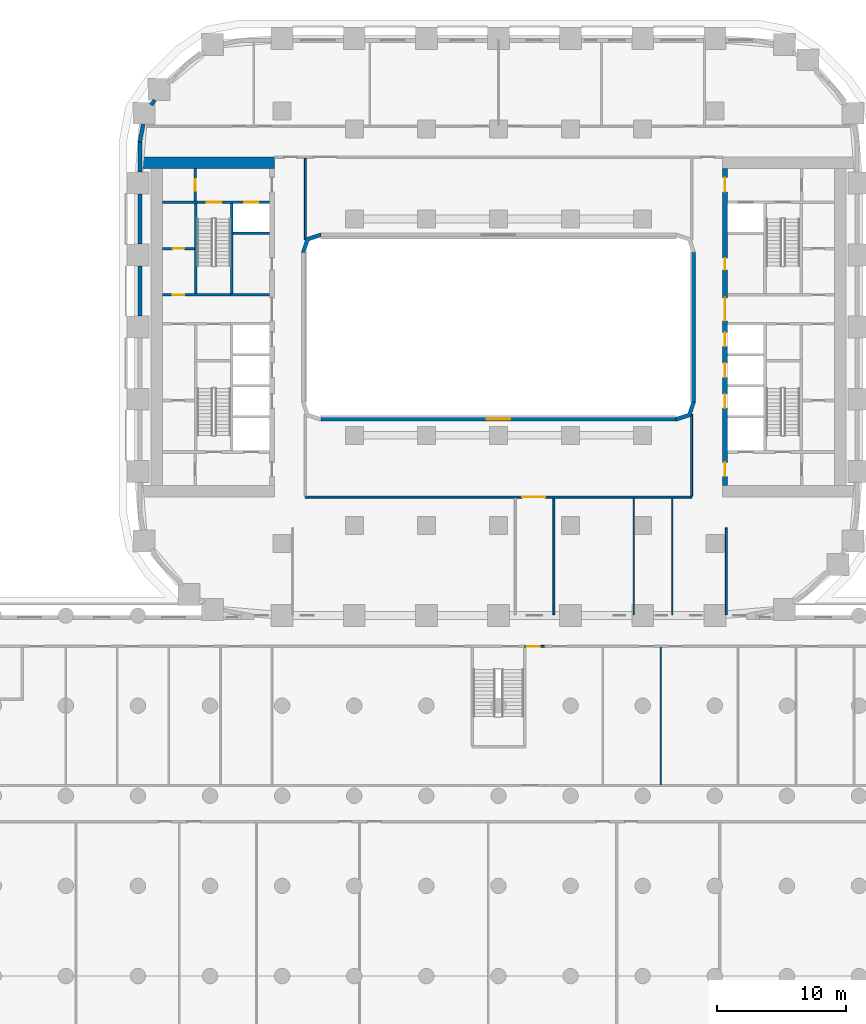
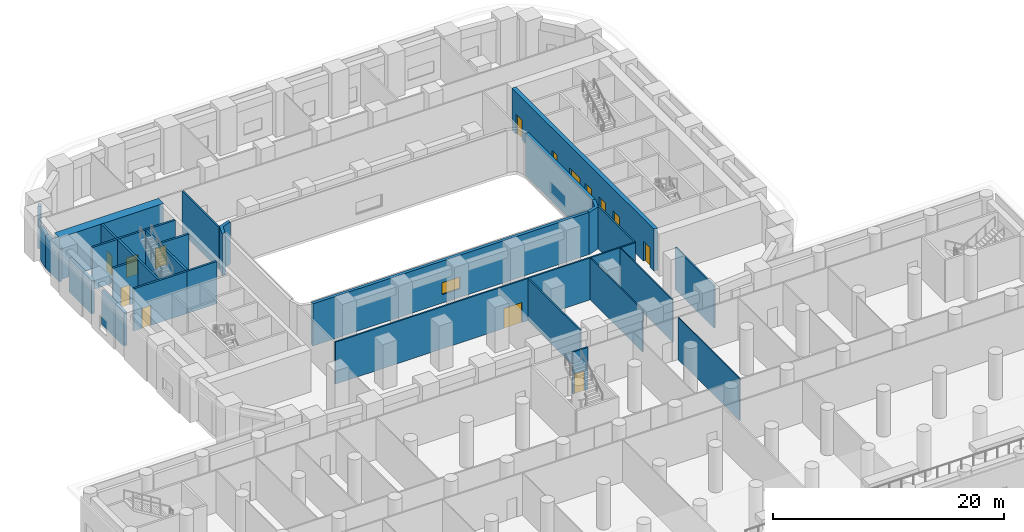
# One storey, part 12 of 27: 28 walls, 14 doors, 1 window, 15 openings.
"""IFC4 building model written with IfcOpenShell, lengths in metres."""

import ifcopenshell
import ifcopenshell.guid

model = None  # the IFC model being written
_history = None  # IfcOwnerHistory: only IFC2X3 demands one
_inside = {}  # id of a spatial element -> (the spatial element, [elements in it])
_under = {}  # id of a project, library or spatial element -> (it, [spatial elements below it])
_declared = {}  # id of a project -> (the project, [libraries it declares])
_typed = {}  # id of a type object -> (the type object, [elements of that type])
_made_of = {}  # id of a material, layer set ... -> (it, [elements and type objects made of it])


def new_model(schema):
    """Start an empty IFC model of exactly this schema.

    Asked for "IFC4X3", IfcOpenShell would pick the latest addendum, in which some entities
    have other attributes; the version numbers below select the first issue.
    IFC2X3 requires an IfcOwnerHistory on every rooted entity: one is made here for all.
    """
    global model, _history
    if schema == "IFC4X3":
        model = ifcopenshell.file(schema_version=(4, 3, 0, 0))
    else:
        model = ifcopenshell.file(schema=schema)
    _inside.clear()
    _under.clear()
    _declared.clear()
    _typed.clear()
    _made_of.clear()
    _history = None
    if model.schema == "IFC2X3":
        org = make("IfcOrganization", Name="unknown")
        user = make(
            "IfcPersonAndOrganization",
            ThePerson=make("IfcPerson", FamilyName="unknown"),
            TheOrganization=org,
        )
        app = make(
            "IfcApplication",
            ApplicationDeveloper=org,
            Version="unknown",
            ApplicationFullName="unknown",
            ApplicationIdentifier="unknown",
        )
        _history = make(
            "IfcOwnerHistory",
            OwningUser=user,
            OwningApplication=app,
            ChangeAction="ADDED",
            CreationDate=0,
        )
    return model


def make(cls, **values):
    """One entity of the class cls with the attributes given. An attribute that is None is left unset."""
    return model.create_entity(
        cls, **{name: value for name, value in values.items() if value is not None}
    )


def rooted(cls, **values):
    """An entity with a GlobalId (a new one), such as an element, a storey or a relation."""
    return make(cls, GlobalId=ifcopenshell.guid.new(), OwnerHistory=_history, **values)


def si_unit(unit_type, name, prefix=None):
    """IfcSIUnit, for example si_unit("LENGTHUNIT", "METRE", prefix="MILLI")."""
    return make("IfcSIUnit", UnitType=unit_type, Prefix=prefix, Name=name)


def assignment(units):
    """IfcUnitAssignment: the units of a project."""
    return None if units is None else make("IfcUnitAssignment", Units=units)


def point(xyz):
    """IfcCartesianPoint."""
    return None if xyz is None else make("IfcCartesianPoint", Coordinates=xyz)


def direction(xyz):
    """IfcDirection."""
    return None if xyz is None else make("IfcDirection", DirectionRatios=xyz)


def frame(location, z_axis=None, x_axis=None):
    """IfcAxis2Placement3D, a coordinate frame: its origin and axes. An axis left out is left unset."""
    return make(
        "IfcAxis2Placement3D",
        Location=point(location),
        Axis=direction(z_axis),
        RefDirection=direction(x_axis),
    )


def frame_2d(location, x_axis=None):
    """IfcAxis2Placement2D, a coordinate frame in the plane: its origin and x axis."""
    return make(
        "IfcAxis2Placement2D", Location=point(location), RefDirection=direction(x_axis)
    )


def origin():
    """The frame at (0, 0, 0) with its axes left unset."""
    return frame((0.0, 0.0, 0.0))


def place(relative_to, where):
    """IfcLocalPlacement: puts the frame where relative to a parent placement (None: the world)."""
    return make(
        "IfcLocalPlacement", PlacementRelTo=relative_to, RelativePlacement=where
    )


def context(
    kind, dimensions, precision=None, world=None, true_north=None, identifier=None
):
    """IfcGeometricRepresentationContext, for example the 3D "Model" context."""
    return make(
        "IfcGeometricRepresentationContext",
        ContextIdentifier=identifier,
        ContextType=kind,
        CoordinateSpaceDimension=dimensions,
        Precision=precision,
        WorldCoordinateSystem=world,
        TrueNorth=true_north,
    )


def subcontext(parent, identifier, kind, view, scale=None):
    """IfcGeometricRepresentationSubContext, for example "Body" below "Model"."""
    return make(
        "IfcGeometricRepresentationSubContext",
        ContextIdentifier=identifier,
        ContextType=kind,
        ParentContext=parent,
        TargetScale=scale,
        TargetView=view,
    )


def project(units=None, contexts=None):
    """IfcProject with its units and contexts."""
    return rooted(
        "IfcProject",
        Name="project",
        RepresentationContexts=contexts,
        UnitsInContext=assignment(units),
    )


def spatial(cls, under=None, at=None, **own):
    """A site, building, storey or space (cls), placed at a placement, below another one or the project."""
    s = rooted(cls, ObjectPlacement=at, **own)
    if under is not None:
        _under.setdefault(under.id(), (under, []))[1].append(s)
    return s


def polyline(points):
    """IfcPolyline through the points."""
    return make("IfcPolyline", Points=[point(p) for p in points])


def profile(cls, at=None, kind="AREA", **sizes):
    """A parametric profile (cls). Its sizes go by their IFC names, for example OverallWidth=200.0."""
    return make(cls, ProfileType=kind, Position=at, **sizes)


def rectangle(**sizes):
    """IfcRectangleProfileDef."""
    return profile("IfcRectangleProfileDef", **sizes)


def outline(outer, holes=None, kind="AREA"):
    """IfcArbitraryClosedProfileDef: a profile drawn as a closed curve; with holes, ...WithVoids."""
    if holes is None:
        return make("IfcArbitraryClosedProfileDef", ProfileType=kind, OuterCurve=outer)
    return make(
        "IfcArbitraryProfileDefWithVoids",
        ProfileType=kind,
        OuterCurve=outer,
        InnerCurves=holes,
    )


def extrude(swept, where, along, depth):
    """IfcExtrudedAreaSolid: the profile swept, set in the frame where, extruded along a direction by depth."""
    return make(
        "IfcExtrudedAreaSolid",
        SweptArea=swept,
        Position=where,
        ExtrudedDirection=direction(along),
        Depth=depth,
    )


def shape(context_of_items, identifier, shape_type, items):
    """IfcShapeRepresentation: the items that make up one representation, for example the "Body"."""
    return make(
        "IfcShapeRepresentation",
        ContextOfItems=context_of_items,
        RepresentationIdentifier=identifier,
        RepresentationType=shape_type,
        Items=items,
    )


def material(Name=None, Category=None):
    """IfcMaterial."""
    return make("IfcMaterial", Name=Name, Category=Category)


def layer(
    of_material, thickness, ventilated=None, Name=None, Category=None, Priority=None
):
    """IfcMaterialLayer: one layer of a wall or slab, of a material (None: an air gap)."""
    return make(
        "IfcMaterialLayer",
        Material=of_material,
        LayerThickness=thickness,
        IsVentilated=ventilated,
        Name=Name,
        Category=Category,
        Priority=Priority,
    )


def layer_set(layers, Name=None):
    """IfcMaterialLayerSet."""
    return make("IfcMaterialLayerSet", MaterialLayers=layers, LayerSetName=Name)


def made_of(thing, what):
    """Note that an element or type object is made of a material, layer set ...; save() writes the relation."""
    if what is not None:
        _made_of.setdefault(what.id(), (what, []))[1].append(thing)
    return thing


def type_object(cls, material=None, **own):
    """A type object (cls), such as IfcWallType, which elements share."""
    return made_of(rooted(cls, **own), material)


def element(
    cls,
    number,
    at=None,
    inside=None,
    cuts=None,
    type_object=None,
    material=None,
    context=None,
    identifier="Body",
    shape_type=None,
    held_by="IfcProductDefinitionShape",
    body=None,
    shapes=None,
    **own,
):
    """One element of the class cls, such as IfcWall. Its Tag is "e" and its number.

    at: its placement. inside: the storey or other place that contains it. cuts: it is an
    opening in that element (IfcRelVoidsElement). A single representation is given by context,
    identifier, shape_type and body (its items); several are given by shapes. held_by: the class
    of the entity that holds the representations. save() writes the other relations.
    """
    e = rooted(cls, Tag="e%d" % number, ObjectPlacement=at, **own)
    if body is not None:
        shapes = [shape(context, identifier, shape_type, body)]
    if shapes is not None:
        e.Representation = make(held_by, Representations=shapes)
    if inside is not None:
        _inside.setdefault(inside.id(), (inside, []))[1].append(e)
    if cuts is not None:
        rooted(
            "IfcRelVoidsElement", RelatingBuildingElement=cuts, RelatedOpeningElement=e
        )
    if type_object is not None:
        _typed.setdefault(type_object.id(), (type_object, []))[1].append(e)
    return made_of(e, material)


def fill(opening, filler):
    """IfcRelFillsElement: the door or window that sits in an opening."""
    return rooted(
        "IfcRelFillsElement",
        RelatingOpeningElement=opening,
        RelatedBuildingElement=filler,
    )


def aggregate(whole, parts):
    """IfcRelAggregates: a whole, such as a stair, and the parts it consists of."""
    return rooted("IfcRelAggregates", RelatingObject=whole, RelatedObjects=parts)


def save(model, path):
    """Write the relations noted so far, then the file.

    IfcRelAggregates (storeys below a building ...), IfcRelContainedInSpatialStructure (elements
    in a storey), IfcRelDefinesByType, IfcRelAssociatesMaterial and IfcRelDeclares: one each for
    every whole, place, type object, material and project.
    """
    for whole, parts in _under.values():
        aggregate(whole, parts)
    for where, things in _inside.values():
        rooted(
            "IfcRelContainedInSpatialStructure",
            RelatedElements=things,
            RelatingStructure=where,
        )
    for kind, things in _typed.values():
        rooted("IfcRelDefinesByType", RelatedObjects=things, RelatingType=kind)
    for what, things in _made_of.values():
        rooted("IfcRelAssociatesMaterial", RelatedObjects=things, RelatingMaterial=what)
    for by, libraries in _declared.values():
        rooted("IfcRelDeclares", RelatingContext=by, RelatedDefinitions=libraries)
    model.write(path)


model = new_model("IFC4")

# Units and contexts
model_context = context("Model", 3, precision=1e-05, world=origin(), true_north=direction((0.0, 1.0)))
body_context = subcontext(model_context, "Body", "Model", "MODEL_VIEW")
ifc_project = project(units=[si_unit("LENGTHUNIT", "METRE"), si_unit("AREAUNIT", "SQUARE_METRE"), si_unit("VOLUMEUNIT", "CUBIC_METRE"), si_unit("PLANEANGLEUNIT", "RADIAN"), si_unit("MASSUNIT", "GRAM", prefix="KILO")], contexts=[model_context])

# Site, building, storey
site_placement = place(None, origin())
site = spatial("IfcSite", under=ifc_project, at=site_placement, CompositionType="ELEMENT")
building_placement = place(site_placement, origin())
building = spatial("IfcBuilding", under=site, at=building_placement, Name="Kiln Ring Residences", CompositionType="ELEMENT")
storey_placement = place(building_placement, frame((0.0, 0.0, 6.5)))
storey = spatial("IfcBuildingStorey", under=building, at=storey_placement, Name="L01", CompositionType="ELEMENT", Elevation=6.5)

# Wall, opening, door
ifc_material_1 = material(Name="Gypsum board on steel studs", Category="steel")
ifc_layer_1 = layer(ifc_material_1, 0.199951171875)
ifc_layer_set_1 = layer_set([ifc_layer_1], Name="CORE-PARTITION-200")
wall_type_1 = type_object("IfcWallType", Name="CORE-PARTITION-200", PredefinedType="PARTITIONING", material=ifc_layer_set_1)
wall_1_placement = place(storey_placement, frame((-23.550048828125, 9.800048828125, 0.0), z_axis=(0.0, 0.0, 1.0), x_axis=(0.0, 1.0, 0.0)))
wall_1 = element("IfcWall", 1, at=wall_1_placement, inside=storey, type_object=wall_type_1, Name="Core partition west L01 3", PredefinedType="PARTITIONING", context=body_context, shape_type="SweptSolid", body=[
    extrude(rectangle(XDim=2.5, YDim=0.199951171875, at=frame_2d((1.25, 0.0))), origin(), (0.0, 0.0, 1.0), 4.449951171875),
])
opening_1_placement = place(wall_1_placement, frame((0.800048828125, 0.0, 0.0)))
opening_1 = element("IfcOpeningElement", 2, at=opening_1_placement, cuts=wall_1, Name="Opening L01-CW09", PredefinedType="OPENING", context=body_context, shape_type="SweptSolid", body=[
    extrude(rectangle(XDim=0.89990234375, YDim=2.10009765625, at=frame_2d((0.449951171875, 1.050048828125))), frame((0.0, 0.10986328125, 0.0), z_axis=(0.0, -1.0, 0.0), x_axis=(1.0, 0.0, 0.0)), (0.0, 0.0, 1.0), 0.219970703125),
])
ifc_material_2 = material(Name="Steel door leaf", Category="steel")
door_type_1 = type_object("IfcDoorType", Name="CORE-DOOR-ROOM", OperationType="SINGLE_SWING_LEFT", PredefinedType="DOOR", material=ifc_material_2)
door_1_placement = place(opening_1_placement, origin())
door_1 = element("IfcDoor", 3, at=door_1_placement, inside=storey, type_object=door_type_1, Name="Fire riser room L01-CW09", OperationType="SINGLE_SWING_LEFT", OverallHeight=2.10009765625, OverallWidth=0.89990234375, PredefinedType="DOOR", context=body_context, shape_type="SweptSolid", body=[
    extrude(rectangle(XDim=0.89990234375, YDim=2.10009765625, at=frame_2d((0.449951171875, 1.050048828125))), frame((0.0, 0.02490234375, 0.0), z_axis=(0.0, -1.0, 0.0), x_axis=(1.0, 0.0, 0.0)), (0.0, 0.0, 1.0), 0.050048828125),
])
fill(opening_1, door_1)

wall_2_placement = place(storey_placement, frame((-23.60009765625, 6.10009765625, 0.0), z_axis=(0.0, 0.0, 1.0), x_axis=(-1.0, 0.0, 0.0)))
wall_2 = element("IfcWall", 4, at=wall_2_placement, inside=storey, type_object=wall_type_1, Name="Core partition west L01 6", PredefinedType="PARTITIONING", context=body_context, shape_type="SweptSolid", body=[
    extrude(rectangle(XDim=2.5, YDim=0.199951171875, at=frame_2d((1.25, 0.0))), origin(), (0.0, 0.0, 1.0), 4.449951171875),
])
opening_2_placement = place(wall_2_placement, frame((0.800048828125, 0.0, 0.0)))
opening_2 = element("IfcOpeningElement", 5, at=opening_2_placement, cuts=wall_2, Name="Opening L01-CW17", PredefinedType="OPENING", context=body_context, shape_type="SweptSolid", body=[
    extrude(rectangle(XDim=0.89990234375, YDim=2.10009765625, at=frame_2d((0.449951171875, 1.050048828125))), frame((0.0, 0.10986328125, 0.0), z_axis=(0.0, -1.0, 0.0), x_axis=(1.0, 0.0, 0.0)), (0.0, 0.0, 1.0), 0.219970703125),
])
door_2_placement = place(opening_2_placement, origin())
door_2 = element("IfcDoor", 6, at=door_2_placement, inside=storey, type_object=door_type_1, Name="Electrical plant room L01-CW17", OperationType="SINGLE_SWING_RIGHT", OverallHeight=2.10009765625, OverallWidth=0.89990234375, PredefinedType="DOOR", context=body_context, shape_type="SweptSolid", body=[
    extrude(rectangle(XDim=0.89990234375, YDim=2.10009765625, at=frame_2d((0.449951171875, 1.050048828125))), frame((0.0, 0.02490234375, 0.0), z_axis=(0.0, -1.0, 0.0), x_axis=(1.0, 0.0, 0.0)), (0.0, 0.0, 1.0), 0.050048828125),
])
fill(opening_2, door_2)

# Walls
ifc_material_3 = material(Name="Gypsum shaft wall system")
ifc_layer_2 = layer(ifc_material_3, 0.199951171875)
ifc_layer_set_2 = layer_set([ifc_layer_2], Name="CORE-SHAFT-WALL-200")
wall_type_2 = type_object("IfcWallType", Name="CORE-SHAFT-WALL-200", PredefinedType="PARTITIONING", material=ifc_layer_set_2)
wall_3_placement = place(storey_placement, frame((-17.800048828125, 2.5, 0.0), z_axis=(0.0, 0.0, 1.0), x_axis=(-1.0, 0.0, 0.0)))
element("IfcWall", 7, at=wall_3_placement, inside=storey, type_object=wall_type_2, Name="Core partition west L01 11", PredefinedType="PARTITIONING", context=body_context, shape_type="SweptSolid", body=[
    extrude(rectangle(XDim=3.0, YDim=0.199951171875, at=frame_2d((1.5, 0.0))), origin(), (0.0, 0.0, 1.0), 4.449951171875),
])
wall_4_placement = place(storey_placement, frame((-17.800048828125, 7.300048828125, 0.0), z_axis=(0.0, 0.0, 1.0), x_axis=(-1.0, 0.0, 0.0)))
element("IfcWall", 8, at=wall_4_placement, inside=storey, type_object=wall_type_2, Name="Core partition west L01 12", PredefinedType="PARTITIONING", context=body_context, shape_type="SweptSolid", body=[
    extrude(rectangle(XDim=2.800048828125, YDim=0.199951171875, at=frame_2d((1.39990234375, 0.0))), origin(), (0.0, 0.0, 1.0), 4.449951171875),
])
ifc_material_4 = material(Name="Concrete C40/50", Category="concrete")
ifc_layer_3 = layer(ifc_material_4, 0.199951171875)
ifc_layer_set_3 = layer_set([ifc_layer_3], Name="CORE-WALL-RC200")
wall_type_3 = type_object("IfcWallType", Name="CORE-WALL-RC200", PredefinedType="SHEAR", material=ifc_layer_set_3)
wall_5_placement = place(storey_placement, frame((-20.699951171875, 2.60009765625, 0.0), z_axis=(0.0, 0.0, 1.0), x_axis=(0.0, 1.0, 0.0)))
element("IfcWall", 9, at=wall_5_placement, inside=storey, type_object=wall_type_3, Name="Core wall west L01 1", PredefinedType="SHEAR", context=body_context, shape_type="SweptSolid", body=[
    extrude(rectangle(XDim=7.0, YDim=0.199951171875, at=frame_2d((3.5, 0.0))), origin(), (0.0, 0.0, 1.0), 4.449951171875),
])

# Wall, opening, door
wall_6_placement = place(storey_placement, frame((-20.800048828125, 2.5, 0.0), z_axis=(0.0, 0.0, 1.0), x_axis=(-1.0, 0.0, 0.0)))
wall_6 = element("IfcWall", 10, at=wall_6_placement, inside=storey, type_object=wall_type_3, Name="Core wall west L01 3", PredefinedType="SHEAR", context=body_context, shape_type="SweptSolid", body=[
    extrude(rectangle(XDim=5.300048828125, YDim=0.199951171875, at=frame_2d((2.64990234375, 0.0))), origin(), (0.0, 0.0, 1.0), 4.449951171875),
])
opening_3_placement = place(wall_6_placement, frame((3.60009765625, 0.0, 0.0)))
opening_3 = element("IfcOpeningElement", 11, at=opening_3_placement, cuts=wall_6, Name="Opening L01-CW18", PredefinedType="OPENING", context=body_context, shape_type="SweptSolid", body=[
    extrude(rectangle(XDim=0.89990234375, YDim=2.10009765625, at=frame_2d((0.449951171875, 1.050048828125))), frame((0.0, 0.10986328125, 0.0), z_axis=(0.0, -1.0, 0.0), x_axis=(1.0, 0.0, 0.0)), (0.0, 0.0, 1.0), 0.219970703125),
])
door_3_placement = place(opening_3_placement, origin())
door_3 = element("IfcDoor", 12, at=door_3_placement, inside=storey, type_object=door_type_1, Name="Comms room L01-CW18", OperationType="SINGLE_SWING_LEFT", OverallHeight=2.10009765625, OverallWidth=0.89990234375, PredefinedType="DOOR", context=body_context, shape_type="SweptSolid", body=[
    extrude(rectangle(XDim=0.89990234375, YDim=2.10009765625, at=frame_2d((0.449951171875, 1.050048828125))), frame((0.0, 0.02490234375, 0.0), z_axis=(0.0, -1.0, 0.0), x_axis=(1.0, 0.0, 0.0)), (0.0, 0.0, 1.0), 0.050048828125),
])
fill(opening_3, door_3)

# Wall, openings, doors
wall_7_placement = place(storey_placement, frame((-17.800048828125, 9.699951171875, 0.0), z_axis=(0.0, 0.0, 1.0), x_axis=(-1.0, 0.0, 0.0)))
wall_7 = element("IfcWall", 13, at=wall_7_placement, inside=storey, type_object=wall_type_3, Name="Core wall west L01 9", PredefinedType="SHEAR", context=body_context, shape_type="SweptSolid", body=[
    extrude(rectangle(XDim=8.300048828125, YDim=0.199951171875, at=frame_2d((4.14990234375, 0.0))), origin(), (0.0, 0.0, 1.0), 4.449951171875),
])
opening_4_placement = place(wall_7_placement, frame((0.85009765625, 0.0, 0.0)))
opening_4 = element("IfcOpeningElement", 14, at=opening_4_placement, cuts=wall_7, Name="Opening L01-CW06", PredefinedType="OPENING", context=body_context, shape_type="SweptSolid", body=[
    extrude(rectangle(XDim=1.10009765625, YDim=2.10009765625, at=frame_2d((0.550048828125, 1.050048828125))), frame((0.0, 0.10986328125, 0.0), z_axis=(0.0, -1.0, 0.0), x_axis=(1.0, 0.0, 0.0)), (0.0, 0.0, 1.0), 0.219970703125),
])
opening_5_placement = place(wall_7_placement, frame((3.75, 0.0, 0.0)))
opening_5 = element("IfcOpeningElement", 15, at=opening_5_placement, cuts=wall_7, Name="Opening L01-CW11", PredefinedType="OPENING", context=body_context, shape_type="SweptSolid", body=[
    extrude(rectangle(XDim=1.10009765625, YDim=2.10009765625, at=frame_2d((0.550048828125, 1.050048828125))), frame((0.0, 0.10986328125, 0.0), z_axis=(0.0, -1.0, 0.0), x_axis=(1.0, 0.0, 0.0)), (0.0, 0.0, 1.0), 0.219970703125),
])
ifc_material_5 = material(Name="Steel door leaf", Category="steel")
door_type_2 = type_object("IfcDoorType", Name="CORE-DOOR-LD", OperationType="DOUBLE_DOOR_SLIDING", PredefinedType="DOOR", material=ifc_material_5)
door_4_placement = place(opening_4_placement, origin())
door_4 = element("IfcDoor", 16, at=door_4_placement, inside=storey, type_object=door_type_2, Name="LD W-FF L01-CW06", OperationType="DOUBLE_DOOR_SLIDING", OverallHeight=2.10009765625, OverallWidth=1.10009765625, PredefinedType="DOOR", context=body_context, shape_type="SweptSolid", body=[
    extrude(rectangle(XDim=1.10009765625, YDim=2.10009765625, at=frame_2d((0.550048828125, 1.050048828125))), frame((0.0, 0.02490234375, 0.0), z_axis=(0.0, -1.0, 0.0), x_axis=(1.0, 0.0, 0.0)), (0.0, 0.0, 1.0), 0.050048828125),
])
fill(opening_4, door_4)
ifc_material_6 = material(Name="Steel door leaf", Category="steel")
door_type_3 = type_object("IfcDoorType", Name="CORE-DOOR-STAIR", OperationType="SINGLE_SWING_LEFT", PredefinedType="DOOR", material=ifc_material_6)
door_5_placement = place(opening_5_placement, origin())
door_5 = element("IfcDoor", 17, at=door_5_placement, inside=storey, type_object=door_type_3, Name="Stair W-STN L01-CW11", OperationType="SINGLE_SWING_LEFT", OverallHeight=2.10009765625, OverallWidth=1.10009765625, PredefinedType="DOOR", context=body_context, shape_type="SweptSolid", body=[
    extrude(rectangle(XDim=1.10009765625, YDim=2.10009765625, at=frame_2d((0.550048828125, 1.050048828125))), frame((0.0, 0.02490234375, 0.0), z_axis=(0.0, -1.0, 0.0), x_axis=(1.0, 0.0, 0.0)), (0.0, 0.0, 1.0), 0.050048828125),
])
fill(opening_5, door_5)

# Wall
wall_8_placement = place(storey_placement, frame((-23.5, 2.60009765625, 0.0), z_axis=(0.0, 0.0, 1.0), x_axis=(0.0, 1.0, 0.0)))
element("IfcWall", 18, at=wall_8_placement, inside=storey, type_object=wall_type_3, Name="Core wall west L01 10", PredefinedType="SHEAR", context=body_context, shape_type="SweptSolid", body=[
    extrude(rectangle(XDim=7.0, YDim=0.199951171875, at=frame_2d((3.5, 0.0))), origin(), (0.0, 0.0, 1.0), 4.449951171875),
])

# Wall, openings, doors
ifc_material_7 = material(Name="Concrete C60/75", Category="concrete")
ifc_layer_4 = layer(ifc_material_7, 0.39990234375)
ifc_layer_set_4 = layer_set([ifc_layer_4], Name="CORE-WALL-RC400")
wall_type_4 = type_object("IfcWallType", Name="CORE-WALL-RC400", PredefinedType="SHEAR", material=ifc_layer_set_4)
wall_9_placement = place(storey_placement, frame((17.60009765625, -12.300048828125, 0.0), z_axis=(0.0, 0.0, 1.0), x_axis=(0.0, 1.0, 0.0)))
wall_9 = element("IfcWall", 19, at=wall_9_placement, inside=storey, type_object=wall_type_4, Name="Core wall east L01 6", PredefinedType="SHEAR", context=body_context, shape_type="SweptSolid", body=[
    extrude(rectangle(XDim=24.60009765625, YDim=0.39990234375, at=frame_2d((12.300048828125, 0.0))), origin(), (0.0, 0.0, 1.0), 4.449951171875),
])
opening_6_placement = place(wall_9_placement, frame((6.0, 0.0, 0.0)))
opening_6 = element("IfcOpeningElement", 20, at=opening_6_placement, cuts=wall_9, Name="Opening L01-CE02", PredefinedType="OPENING", context=body_context, shape_type="SweptSolid", body=[
    extrude(rectangle(XDim=1.10009765625, YDim=2.10009765625, at=frame_2d((0.550048828125, 1.050048828125))), frame((0.0, 0.2099609375, 0.0), z_axis=(0.0, -1.0, 0.0), x_axis=(1.0, 0.0, 0.0)), (0.0, 0.0, 1.0), 0.419921875),
])
opening_7_placement = place(wall_9_placement, frame((8.39990234375, 0.0, 0.0)))
opening_7 = element("IfcOpeningElement", 21, at=opening_7_placement, cuts=wall_9, Name="Opening L01-CE03", PredefinedType="OPENING", context=body_context, shape_type="SweptSolid", body=[
    extrude(rectangle(XDim=1.10009765625, YDim=2.10009765625, at=frame_2d((0.550048828125, 1.050048828125))), frame((0.0, 0.2099609375, 0.0), z_axis=(0.0, -1.0, 0.0), x_axis=(1.0, 0.0, 0.0)), (0.0, 0.0, 1.0), 0.419921875),
])
opening_8_placement = place(wall_9_placement, frame((10.800048828125, 0.0, 0.0)))
opening_8 = element("IfcOpeningElement", 22, at=opening_8_placement, cuts=wall_9, Name="Opening L01-CE04", PredefinedType="OPENING", context=body_context, shape_type="SweptSolid", body=[
    extrude(rectangle(XDim=1.10009765625, YDim=2.10009765625, at=frame_2d((0.550048828125, 1.050048828125))), frame((0.0, 0.2099609375, 0.0), z_axis=(0.0, -1.0, 0.0), x_axis=(1.0, 0.0, 0.0)), (0.0, 0.0, 1.0), 0.419921875),
])
opening_9_placement = place(wall_9_placement, frame((16.75, 0.0, 0.0)))
opening_9 = element("IfcOpeningElement", 23, at=opening_9_placement, cuts=wall_9, Name="Opening L01-CE05", PredefinedType="OPENING", context=body_context, shape_type="SweptSolid", body=[
    extrude(rectangle(XDim=0.89990234375, YDim=2.10009765625, at=frame_2d((0.449951171875, 1.050048828125))), frame((0.0, 0.2099609375, 0.0), z_axis=(0.0, -1.0, 0.0), x_axis=(1.0, 0.0, 0.0)), (0.0, 0.0, 1.0), 0.419921875),
])
opening_10_placement = place(wall_9_placement, frame((22.800048828125, 0.0, 0.0)))
opening_10 = element("IfcOpeningElement", 24, at=opening_10_placement, cuts=wall_9, Name="Opening L01-CE07", PredefinedType="OPENING", context=body_context, shape_type="SweptSolid", body=[
    extrude(rectangle(XDim=1.10009765625, YDim=2.10009765625, at=frame_2d((0.550048828125, 1.050048828125))), frame((0.0, 0.2099609375, 0.0), z_axis=(0.0, -1.0, 0.0), x_axis=(1.0, 0.0, 0.0)), (0.0, 0.0, 1.0), 0.419921875),
])
opening_11_placement = place(wall_9_placement, frame((0.699951171875, 0.0, 0.0)))
opening_11 = element("IfcOpeningElement", 25, at=opening_11_placement, cuts=wall_9, Name="Opening L01-CE08", PredefinedType="OPENING", context=body_context, shape_type="SweptSolid", body=[
    extrude(rectangle(XDim=1.10009765625, YDim=2.10009765625, at=frame_2d((0.550048828125, 1.050048828125))), frame((0.0, 0.2099609375, 0.0), z_axis=(0.0, -1.0, 0.0), x_axis=(1.0, 0.0, 0.0)), (0.0, 0.0, 1.0), 0.419921875),
])
opening_12_placement = place(wall_9_placement, frame((12.77490234375, 0.0, 0.0)))
opening_12 = element("IfcOpeningElement", 26, at=opening_12_placement, cuts=wall_9, Name="Opening L01-CE13", PredefinedType="OPENING", context=body_context, shape_type="SweptSolid", body=[
    extrude(rectangle(XDim=1.800048828125, YDim=2.10009765625, at=frame_2d((0.89990234375, 1.050048828125))), frame((0.0, 0.2099609375, 0.0), z_axis=(0.0, -1.0, 0.0), x_axis=(1.0, 0.0, 0.0)), (0.0, 0.0, 1.0), 0.419921875),
])
door_6_placement = place(opening_6_placement, origin())
door_6 = element("IfcDoor", 27, at=door_6_placement, inside=storey, type_object=door_type_2, Name="LD E-L1 L01-CE02", OperationType="DOUBLE_DOOR_SLIDING", OverallHeight=2.10009765625, OverallWidth=1.10009765625, PredefinedType="DOOR", context=body_context, shape_type="SweptSolid", body=[
    extrude(rectangle(XDim=1.10009765625, YDim=2.10009765625, at=frame_2d((0.550048828125, 1.050048828125))), frame((0.0, 0.02490234375, 0.0), z_axis=(0.0, -1.0, 0.0), x_axis=(1.0, 0.0, 0.0)), (0.0, 0.0, 1.0), 0.050048828125),
])
fill(opening_6, door_6)
door_7_placement = place(opening_7_placement, origin())
door_7 = element("IfcDoor", 28, at=door_7_placement, inside=storey, type_object=door_type_2, Name="LD E-L2 L01-CE03", OperationType="DOUBLE_DOOR_SLIDING", OverallHeight=2.10009765625, OverallWidth=1.10009765625, PredefinedType="DOOR", context=body_context, shape_type="SweptSolid", body=[
    extrude(rectangle(XDim=1.10009765625, YDim=2.10009765625, at=frame_2d((0.550048828125, 1.050048828125))), frame((0.0, 0.02490234375, 0.0), z_axis=(0.0, -1.0, 0.0), x_axis=(1.0, 0.0, 0.0)), (0.0, 0.0, 1.0), 0.050048828125),
])
fill(opening_7, door_7)
door_8_placement = place(opening_8_placement, origin())
door_8 = element("IfcDoor", 29, at=door_8_placement, inside=storey, type_object=door_type_2, Name="LD E-L3 L01-CE04", OperationType="DOUBLE_DOOR_SLIDING", OverallHeight=2.10009765625, OverallWidth=1.10009765625, PredefinedType="DOOR", context=body_context, shape_type="SweptSolid", body=[
    extrude(rectangle(XDim=1.10009765625, YDim=2.10009765625, at=frame_2d((0.550048828125, 1.050048828125))), frame((0.0, 0.02490234375, 0.0), z_axis=(0.0, -1.0, 0.0), x_axis=(1.0, 0.0, 0.0)), (0.0, 0.0, 1.0), 0.050048828125),
])
fill(opening_8, door_8)
ifc_material_8 = material(Name="Steel door leaf", Category="steel")
door_type_4 = type_object("IfcDoorType", Name="CORE-DOOR-LOBBY", OperationType="SINGLE_SWING_LEFT", PredefinedType="DOOR", material=ifc_material_8)
door_9_placement = place(opening_10_placement, origin())
door_9 = element("IfcDoor", 30, at=door_9_placement, inside=storey, type_object=door_type_4, Name="FFL L01-CE07", OperationType="SINGLE_SWING_LEFT", OverallHeight=2.10009765625, OverallWidth=1.10009765625, PredefinedType="DOOR", context=body_context, shape_type="SweptSolid", body=[
    extrude(rectangle(XDim=1.10009765625, YDim=2.10009765625, at=frame_2d((0.550048828125, 1.050048828125))), frame((0.0, 0.02490234375, 0.0), z_axis=(0.0, -1.0, 0.0), x_axis=(1.0, 0.0, 0.0)), (0.0, 0.0, 1.0), 0.050048828125),
])
fill(opening_10, door_9)
door_10_placement = place(opening_11_placement, origin())
door_10 = element("IfcDoor", 31, at=door_10_placement, inside=storey, type_object=door_type_4, Name="SVL L01-CE08", OperationType="SINGLE_SWING_RIGHT", OverallHeight=2.10009765625, OverallWidth=1.10009765625, PredefinedType="DOOR", context=body_context, shape_type="SweptSolid", body=[
    extrude(rectangle(XDim=1.10009765625, YDim=2.10009765625, at=frame_2d((0.550048828125, 1.050048828125))), frame((0.0, 0.02490234375, 0.0), z_axis=(0.0, -1.0, 0.0), x_axis=(1.0, 0.0, 0.0)), (0.0, 0.0, 1.0), 0.050048828125),
])
fill(opening_11, door_10)
ifc_material_9 = material(Name="Steel door leaf", Category="steel")
door_type_5 = type_object("IfcDoorType", Name="CORE-DOOR-PASS", OperationType="DOUBLE_DOOR_SINGLE_SWING", PredefinedType="DOOR", material=ifc_material_9)
door_11_placement = place(opening_12_placement, origin())
door_11 = element("IfcDoor", 32, at=door_11_placement, inside=storey, type_object=door_type_5, Name="Core passage L01-CE13", OperationType="DOUBLE_DOOR_SINGLE_SWING", OverallHeight=2.10009765625, OverallWidth=1.800048828125, PredefinedType="DOOR", context=body_context, shape_type="SweptSolid", body=[
    extrude(rectangle(XDim=1.800048828125, YDim=2.10009765625, at=frame_2d((0.89990234375, 1.050048828125))), frame((0.0, 0.02490234375, 0.0), z_axis=(0.0, -1.0, 0.0), x_axis=(1.0, 0.0, 0.0)), (0.0, 0.0, 1.0), 0.050048828125),
])
fill(opening_12, door_11)
door_12_placement = place(opening_9_placement, origin())
door_12 = element("IfcDoor", 33, at=door_12_placement, inside=storey, type_object=door_type_1, Name="Locker store L01-CE05", OperationType="SINGLE_SWING_RIGHT", OverallHeight=2.10009765625, OverallWidth=0.89990234375, PredefinedType="DOOR", context=body_context, shape_type="SweptSolid", body=[
    extrude(rectangle(XDim=0.89990234375, YDim=2.10009765625, at=frame_2d((0.449951171875, 1.050048828125))), frame((0.0, 0.02490234375, 0.0), z_axis=(0.0, -1.0, 0.0), x_axis=(1.0, 0.0, 0.0)), (0.0, 0.0, 1.0), 0.050048828125),
])
fill(opening_9, door_12)

# Walls
ifc_material_10 = material(Name="Concrete C60/75", Category="concrete")
ifc_layer_5 = layer(ifc_material_10, 0.89990234375)
ifc_layer_set_5 = layer_set([ifc_layer_5], Name="CORE-WALL-RC900")
wall_type_5 = type_object("IfcWallType", Name="CORE-WALL-RC900", PredefinedType="SHEAR", material=ifc_layer_set_5)
wall_10_placement = place(storey_placement, frame((-17.39990234375, 12.75, 0.0), z_axis=(0.0, 0.0, 1.0), x_axis=(-1.0, 0.0, 0.0)))
element("IfcWall", 34, at=wall_10_placement, inside=storey, type_object=wall_type_5, Name="Core wall west L01 4", PredefinedType="SHEAR", context=body_context, shape_type="SweptSolid", body=[
    extrude(rectangle(XDim=10.400146484375, YDim=0.89990234375, at=frame_2d((5.2001953125, 0.0))), origin(), (0.0, 0.0, 1.0), 4.449951171875),
])
ifc_material_11 = material(Name="Brick masonry, dark clay brick", Category="masonry")
ifc_layer_6 = layer(ifc_material_11, 0.300048828125)
ifc_layer_set_6 = layer_set([ifc_layer_6], Name="EW-300 BRICK WALL")
wall_type_6 = type_object("IfcWallType", Name="EW-300 BRICK WALL", PredefinedType="SOLIDWALL", material=ifc_layer_set_6)
wall_11_placement = place(storey_placement, frame((-26.701171875, 17.644287109375, 0.0), z_axis=(0.0, 0.0, 1.0), x_axis=(-0.562001981492, -0.827135885329, 0.0)))
element("IfcWall", 35, at=wall_11_placement, inside=storey, type_object=wall_type_6, Name="Facade wall L01 38", PredefinedType="SOLIDWALL", context=body_context, shape_type="SweptSolid", body=[
    extrude(rectangle(XDim=0.47705078125, YDim=0.300048828125, at=frame_2d((0.238525390625, 0.0))), origin(), (0.0, 0.0, 1.0), 4.449951171875),
])
wall_12_placement = place(storey_placement, frame((-27.589111328125, 15.753173828125, 0.0), z_axis=(0.0, 0.0, 1.0), x_axis=(-0.187327504018, -0.982297514116, 0.0)))
element("IfcWall", 36, at=wall_12_placement, inside=storey, type_object=wall_type_6, Name="Facade wall L01 39", PredefinedType="SOLIDWALL", context=body_context, shape_type="SweptSolid", body=[
    extrude(rectangle(XDim=1.40625, YDim=0.300048828125, at=frame_2d((0.703125, 0.0))), origin(), (0.0, 0.0, 1.0), 3.550048828125),
])
wall_13_placement = place(storey_placement, frame((-27.85009765625, 14.39990234375, 0.0), z_axis=(0.0, 0.0, 1.0), x_axis=(0.0, -1.0, 0.0)))
element("IfcWall", 37, at=wall_13_placement, inside=storey, type_object=wall_type_6, Name="Facade wall L01 40", PredefinedType="SOLIDWALL", context=body_context, shape_type="SweptSolid", body=[
    extrude(rectangle(XDim=2.349853515625, YDim=0.300048828125, at=frame_2d((1.1748046875, 0.0))), origin(), (0.0, 0.0, 1.0), 3.550048828125),
])
wall_14_placement = place(storey_placement, frame((-27.85009765625, 10.35009765625, 0.0), z_axis=(0.0, 0.0, 1.0), x_axis=(0.0, -1.0, 0.0)))
element("IfcWall", 38, at=wall_14_placement, inside=storey, type_object=wall_type_6, Name="Facade wall L01 41", PredefinedType="SOLIDWALL", context=body_context, shape_type="SweptSolid", body=[
    extrude(rectangle(XDim=3.900146484375, YDim=0.300048828125, at=frame_2d((1.9501953125, 0.0))), origin(), (0.0, 0.0, 1.0), 3.550048828125),
])
wall_15_placement = place(storey_placement, frame((-27.85009765625, 4.75, 0.0), z_axis=(0.0, 0.0, 1.0), x_axis=(0.0, -1.0, 0.0)))
element("IfcWall", 39, at=wall_15_placement, inside=storey, type_object=wall_type_6, Name="Facade wall L01 42", PredefinedType="SOLIDWALL", context=body_context, shape_type="SweptSolid", body=[
    extrude(rectangle(XDim=3.89990234375, YDim=0.300048828125, at=frame_2d((1.949951171875, 0.0))), origin(), (0.0, 0.0, 1.0), 3.550048828125),
])
wall_16_placement = place(storey_placement, frame((15.14990234375, 5.800048828125, 0.0), z_axis=(0.0, 0.0, 1.0), x_axis=(0.0, -1.0, 0.0)))
element("IfcWall", 40, at=wall_16_placement, inside=storey, type_object=wall_type_6, Name="Facade wall L01 79", PredefinedType="SOLIDWALL", context=body_context, shape_type="SweptSolid", body=[
    extrude(rectangle(XDim=11.60009765625, YDim=0.300048828125, at=frame_2d((5.800048828125, 0.0))), origin(), (0.0, 0.0, 1.0), 4.449951171875),
])

# Wall, opening, window
wall_17_placement = place(storey_placement, frame((13.800048828125, -7.14990234375, 0.0), z_axis=(0.0, 0.0, 1.0), x_axis=(-1.0, 0.0, 0.0)))
wall_17 = element("IfcWall", 41, at=wall_17_placement, inside=storey, type_object=wall_type_6, Name="Facade wall L01 80", PredefinedType="SOLIDWALL", context=body_context, shape_type="SweptSolid", body=[
    extrude(rectangle(XDim=27.60009765625, YDim=0.300048828125, at=frame_2d((13.800048828125, 0.0))), origin(), (0.0, 0.0, 1.0), 4.449951171875),
])
opening_13_placement = place(wall_17_placement, frame((12.89990234375, 0.0, 0.89990234375)))
opening_13 = element("IfcOpeningElement", 42, at=opening_13_placement, cuts=wall_17, Name="Opening W2", PredefinedType="OPENING", context=body_context, shape_type="SweptSolid", body=[
    extrude(rectangle(XDim=1.800048828125, YDim=1.25, at=frame_2d((0.89990234375, 0.625))), frame((0.0, 0.159912109375, 0.0), z_axis=(0.0, -1.0, 0.0), x_axis=(1.0, 0.0, 0.0)), (0.0, 0.0, 1.0), 0.320068359375),
])
ifc_material_12 = material(Name="Aluminium frame with double glazing", Category="aluminium")
window_type = type_object("IfcWindowType", Name="WINDOW 1800 x 1250", PartitioningType="SINGLE_PANEL", PredefinedType="WINDOW", material=ifc_material_12)
window_placement = place(opening_13_placement, origin())
window = element("IfcWindow", 43, at=window_placement, inside=storey, type_object=window_type, Name="Window L01 50", OverallHeight=1.25, OverallWidth=1.800048828125, PartitioningType="SINGLE_PANEL", PredefinedType="WINDOW", context=body_context, shape_type="SweptSolid", body=[
    extrude(rectangle(XDim=1.800048828125, YDim=1.25, at=frame_2d((0.89990234375, 0.625))), frame((0.0, 0.030029296875, 0.0), z_axis=(0.0, -1.0, 0.0), x_axis=(1.0, 0.0, 0.0)), (0.0, 0.0, 1.0), 0.06005859375),
])
fill(opening_13, window)

# Walls
placement = place(storey_placement, origin())
element("IfcWall", 44, at=placement, inside=storey, type_object=wall_type_6, Name="Corner wall L01 3", PredefinedType="SOLIDWALL", context=body_context, shape_type="SweptSolid", body=[
    extrude(outline(polyline([(-13.8486328125, 7.300048828125), (-14.937255859375, 6.937255859375), (-15.300048828125, 5.8486328125), (-15.300048828125, 5.800048828125), (-15.0, 5.800048828125), (-14.699951171875, 6.699951171875), (-13.800048828125, 7.0), (-13.800048828125, 7.300048828125), (-13.8486328125, 7.300048828125)])), origin(), (0.0, 0.0, 1.0), 4.449951171875),
])
element("IfcWall", 45, at=placement, inside=storey, type_object=wall_type_6, Name="Corner wall L01 5", PredefinedType="SOLIDWALL", context=body_context, shape_type="SweptSolid", body=[
    extrude(outline(polyline([(14.937255859375, -6.937255859375), (15.300048828125, -5.8486328125), (15.300048828125, -5.800048828125), (15.0, -5.800048828125), (14.699951171875, -6.699951171875), (13.800048828125, -7.0), (13.800048828125, -7.300048828125), (13.8486328125, -7.300048828125), (14.937255859375, -6.937255859375)])), origin(), (0.0, 0.0, 1.0), 4.449951171875),
])
ifc_material_13 = material(Name="Gypsum board on steel studs", Category="steel")
ifc_layer_7 = layer(ifc_material_13, 0.10009765625)
ifc_layer_set_7 = layer_set([ifc_layer_7], Name="PARTITION-100")
wall_type_7 = type_object("IfcWallType", Name="PARTITION-100", PredefinedType="PARTITIONING", material=ifc_layer_set_7)
wall_20_placement = place(storey_placement, frame((10.5, -22.324951171875, 0.0), z_axis=(0.0, 0.0, 1.0), x_axis=(0.0, 1.0, 0.0)))
element("IfcWall", 46, at=wall_20_placement, inside=storey, type_object=wall_type_7, Name="Partition 040", PredefinedType="PARTITIONING", context=body_context, shape_type="SweptSolid", body=[
    extrude(rectangle(XDim=9.050048828125, YDim=0.10009765625, at=frame_2d((4.52490234375, 0.0))), origin(), (0.0, 0.0, 1.0), 4.449951171875),
])
wall_21_placement = place(storey_placement, frame((12.60009765625, -35.52490234375, 0.0), z_axis=(0.0, 0.0, 1.0), x_axis=(0.0, 1.0, 0.0)))
element("IfcWall", 47, at=wall_21_placement, inside=storey, type_object=wall_type_7, Name="Partition 041", PredefinedType="PARTITIONING", context=body_context, shape_type="SweptSolid", body=[
    extrude(rectangle(XDim=10.64990234375, YDim=0.10009765625, at=frame_2d((5.324951171875, 0.0))), origin(), (0.0, 0.0, 1.0), 4.449951171875),
])
wall_22_placement = place(storey_placement, frame((13.5, -22.324951171875, 0.0), z_axis=(0.0, 0.0, 1.0), x_axis=(0.0, 1.0, 0.0)))
element("IfcWall", 48, at=wall_22_placement, inside=storey, type_object=wall_type_7, Name="Partition 042", PredefinedType="PARTITIONING", context=body_context, shape_type="SweptSolid", body=[
    extrude(rectangle(XDim=9.050048828125, YDim=0.10009765625, at=frame_2d((4.52490234375, 0.0))), origin(), (0.0, 0.0, 1.0), 4.449951171875),
])

# Wall, opening, door
ifc_material_14 = material(Name="Brick masonry partition", Category="masonry")
ifc_layer_8 = layer(ifc_material_14, 0.14990234375)
ifc_layer_set_8 = layer_set([ifc_layer_8], Name="PARTITION-150-ei60")
wall_type_8 = type_object("IfcWallType", Name="PARTITION-150-ei60", PredefinedType="PARTITIONING", material=ifc_layer_set_8)
wall_23_placement = place(storey_placement, frame((2.050048828125, -24.800048828125, 0.0), z_axis=(0.0, 0.0, 1.0), x_axis=(1.0, 0.0, 0.0)))
wall_23 = element("IfcWall", 49, at=wall_23_placement, inside=storey, type_object=wall_type_8, Name="Partition 008", PredefinedType="PARTITIONING", context=body_context, shape_type="SweptSolid", body=[
    extrude(rectangle(XDim=1.5, YDim=0.14990234375, at=frame_2d((0.75, 0.0))), origin(), (0.0, 0.0, 1.0), 4.449951171875),
])
opening_14_placement = place(wall_23_placement, frame((0.14990234375, 0.0, 0.0)))
opening_14 = element("IfcOpeningElement", 50, at=opening_14_placement, cuts=wall_23, Name="Opening L01-D009", PredefinedType="OPENING", context=body_context, shape_type="SweptSolid", body=[
    extrude(rectangle(XDim=1.0, YDim=2.10009765625, at=frame_2d((0.5, 1.050048828125))), frame((0.0, 0.0849609375, 0.0), z_axis=(0.0, -1.0, 0.0), x_axis=(1.0, 0.0, 0.0)), (0.0, 0.0, 1.0), 0.169921875),
])
ifc_material_15 = material(Name="Steel faced fire door leaf", Category="steel")
door_type_6 = type_object("IfcDoorType", Name="FLAT-DOOR-1000-FR", OperationType="SINGLE_SWING_LEFT", PredefinedType="DOOR", material=ifc_material_15)
door_13_placement = place(opening_14_placement, origin())
door_13 = element("IfcDoor", 51, at=door_13_placement, inside=storey, type_object=door_type_6, Name="Door L01-D009", OperationType="SINGLE_SWING_LEFT", OverallHeight=2.10009765625, OverallWidth=1.0, PredefinedType="DOOR", context=body_context, shape_type="SweptSolid", body=[
    extrude(rectangle(XDim=1.0, YDim=2.10009765625, at=frame_2d((0.5, 1.050048828125))), frame((0.0, 0.02490234375, 0.0), z_axis=(0.0, -1.0, 0.0), x_axis=(1.0, 0.0, 0.0)), (0.0, 0.0, 1.0), 0.050048828125),
])
fill(opening_14, door_13)

wall_24_placement = place(storey_placement, frame((-15.0048828125, -13.199951171875, 0.0), z_axis=(0.0, 0.0, 1.0), x_axis=(1.0, 0.0, 0.0)))
wall_24 = element("IfcWall", 52, at=wall_24_placement, inside=storey, type_object=wall_type_8, Name="Partition 014", PredefinedType="PARTITIONING", context=body_context, shape_type="SweptSolid", body=[
    extrude(rectangle(XDim=30.009765625, YDim=0.14990234375, at=frame_2d((15.0048828125, 0.0))), origin(), (0.0, 0.0, 1.0), 4.449951171875),
])
opening_15_placement = place(wall_24_placement, frame((16.85498046875, 0.0, 0.0)))
opening_15 = element("IfcOpeningElement", 53, at=opening_15_placement, cuts=wall_24, Name="Opening L01-D004", PredefinedType="OPENING", context=body_context, shape_type="SweptSolid", body=[
    extrude(rectangle(XDim=1.800048828125, YDim=2.10009765625, at=frame_2d((0.89990234375, 1.050048828125))), frame((0.0, 0.0849609375, 0.0), z_axis=(0.0, -1.0, 0.0), x_axis=(1.0, 0.0, 0.0)), (0.0, 0.0, 1.0), 0.169921875),
])
ifc_material_16 = material(Name="Steel faced fire door leaf", Category="steel")
door_type_7 = type_object("IfcDoorType", Name="FLAT-DOOR-1800-FR", OperationType="SINGLE_SWING_LEFT", PredefinedType="DOOR", material=ifc_material_16)
door_14_placement = place(opening_15_placement, origin())
door_14 = element("IfcDoor", 54, at=door_14_placement, inside=storey, type_object=door_type_7, Name="Door L01-D004", OperationType="SINGLE_SWING_RIGHT", OverallHeight=2.10009765625, OverallWidth=1.800048828125, PredefinedType="DOOR", context=body_context, shape_type="SweptSolid", body=[
    extrude(rectangle(XDim=1.800048828125, YDim=2.10009765625, at=frame_2d((0.89990234375, 1.050048828125))), frame((0.0, 0.02490234375, 0.0), z_axis=(0.0, -1.0, 0.0), x_axis=(1.0, 0.0, 0.0)), (0.0, 0.0, 1.0), 0.050048828125),
])
fill(opening_15, door_14)

# Walls
wall_25_placement = place(storey_placement, frame((-15.0, 6.768798828125, 0.0), z_axis=(0.0, 0.0, 1.0), x_axis=(0.0, 1.0, 0.0)))
element("IfcWall", 55, at=wall_25_placement, inside=storey, type_object=wall_type_8, Name="Partition 029", PredefinedType="PARTITIONING", context=body_context, shape_type="SweptSolid", body=[
    extrude(rectangle(XDim=6.356201171875, YDim=0.14990234375, at=frame_2d((3.17822265625, 0.0))), origin(), (0.0, 0.0, 1.0), 4.449951171875),
])
wall_26_placement = place(storey_placement, frame((4.300048828125, -22.324951171875, 0.0), z_axis=(0.0, 0.0, 1.0), x_axis=(0.0, 1.0, 0.0)))
element("IfcWall", 56, at=wall_26_placement, inside=storey, type_object=wall_type_8, Name="Partition 036", PredefinedType="PARTITIONING", context=body_context, shape_type="SweptSolid", body=[
    extrude(rectangle(XDim=9.050048828125, YDim=0.14990234375, at=frame_2d((4.52490234375, 0.0))), origin(), (0.0, 0.0, 1.0), 4.449951171875),
])
wall_27_placement = place(storey_placement, frame((15.0, -13.125, 0.0), z_axis=(0.0, 0.0, 1.0), x_axis=(0.0, 1.0, 0.0)))
element("IfcWall", 57, at=wall_27_placement, inside=storey, type_object=wall_type_8, Name="Partition 043", PredefinedType="PARTITIONING", context=body_context, shape_type="SweptSolid", body=[
    extrude(rectangle(XDim=6.356201171875, YDim=0.14990234375, at=frame_2d((3.17822265625, 0.0))), origin(), (0.0, 0.0, 1.0), 4.449951171875),
])
wall_28_placement = place(storey_placement, frame((17.699951171875, -22.324951171875, 0.0), z_axis=(0.0, 0.0, 1.0), x_axis=(0.0, 1.0, 0.0)))
element("IfcWall", 58, at=wall_28_placement, inside=storey, type_object=wall_type_8, Name="Partition 047", PredefinedType="PARTITIONING", context=body_context, shape_type="SweptSolid", body=[
    extrude(rectangle(XDim=6.724853515625, YDim=0.14990234375, at=frame_2d((3.3623046875, 0.0))), origin(), (0.0, 0.0, 1.0), 4.449951171875),
])

save(model, "model.ifc")
